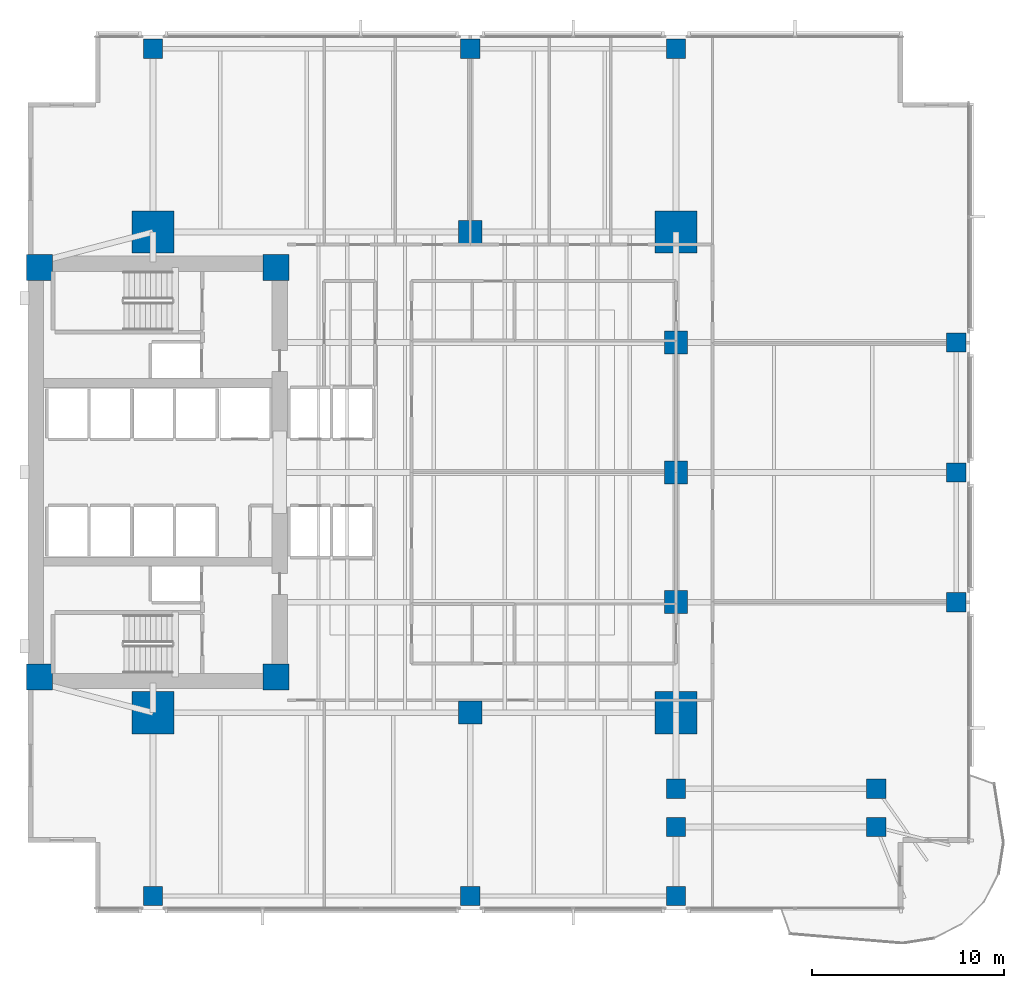
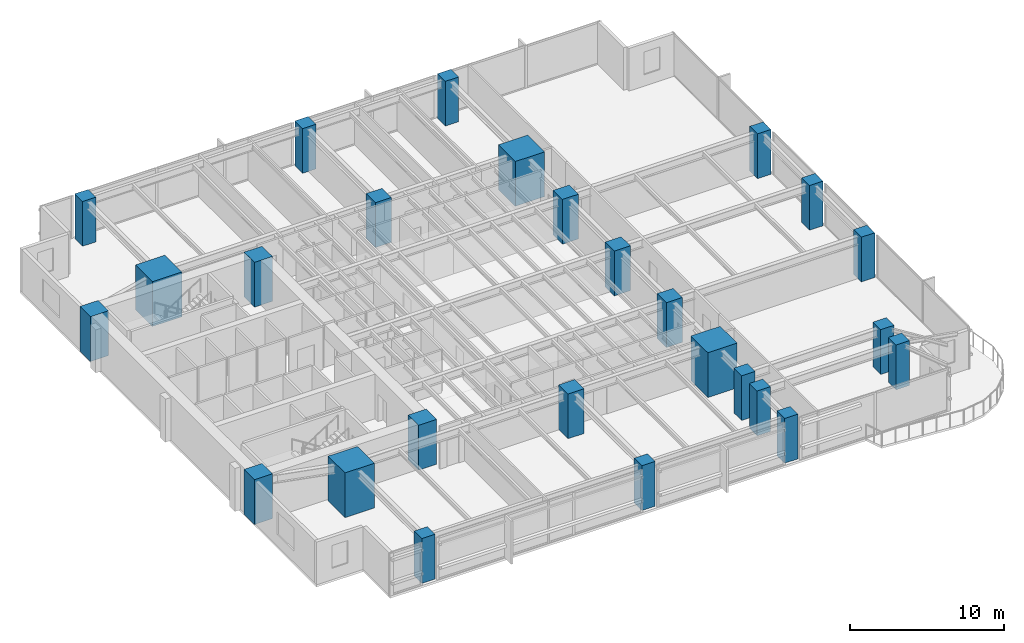
# One storey, part 1 of 15: 26 columns.
"""IFC4 building model written with IfcOpenShell, lengths in metres."""

import ifcopenshell
import ifcopenshell.guid

model = None  # the IFC model being written
_history = None  # IfcOwnerHistory: only IFC2X3 demands one
_inside = {}  # id of a spatial element -> (the spatial element, [elements in it])
_under = {}  # id of a project, library or spatial element -> (it, [spatial elements below it])
_declared = {}  # id of a project -> (the project, [libraries it declares])
_typed = {}  # id of a type object -> (the type object, [elements of that type])
_made_of = {}  # id of a material, layer set ... -> (it, [elements and type objects made of it])


def new_model(schema):
    """Start an empty IFC model of exactly this schema.

    Asked for "IFC4X3", IfcOpenShell would pick the latest addendum, in which some entities
    have other attributes; the version numbers below select the first issue.
    IFC2X3 requires an IfcOwnerHistory on every rooted entity: one is made here for all.
    """
    global model, _history
    if schema == "IFC4X3":
        model = ifcopenshell.file(schema_version=(4, 3, 0, 0))
    else:
        model = ifcopenshell.file(schema=schema)
    _inside.clear()
    _under.clear()
    _declared.clear()
    _typed.clear()
    _made_of.clear()
    _history = None
    if model.schema == "IFC2X3":
        org = make("IfcOrganization", Name="unknown")
        user = make(
            "IfcPersonAndOrganization",
            ThePerson=make("IfcPerson", FamilyName="unknown"),
            TheOrganization=org,
        )
        app = make(
            "IfcApplication",
            ApplicationDeveloper=org,
            Version="unknown",
            ApplicationFullName="unknown",
            ApplicationIdentifier="unknown",
        )
        _history = make(
            "IfcOwnerHistory",
            OwningUser=user,
            OwningApplication=app,
            ChangeAction="ADDED",
            CreationDate=0,
        )
    return model


def make(cls, **values):
    """One entity of the class cls with the attributes given. An attribute that is None is left unset."""
    return model.create_entity(
        cls, **{name: value for name, value in values.items() if value is not None}
    )


def rooted(cls, **values):
    """An entity with a GlobalId (a new one), such as an element, a storey or a relation."""
    return make(cls, GlobalId=ifcopenshell.guid.new(), OwnerHistory=_history, **values)


def si_unit(unit_type, name, prefix=None):
    """IfcSIUnit, for example si_unit("LENGTHUNIT", "METRE", prefix="MILLI")."""
    return make("IfcSIUnit", UnitType=unit_type, Prefix=prefix, Name=name)


def assignment(units):
    """IfcUnitAssignment: the units of a project."""
    return None if units is None else make("IfcUnitAssignment", Units=units)


def point(xyz):
    """IfcCartesianPoint."""
    return None if xyz is None else make("IfcCartesianPoint", Coordinates=xyz)


def direction(xyz):
    """IfcDirection."""
    return None if xyz is None else make("IfcDirection", DirectionRatios=xyz)


def frame(location, z_axis=None, x_axis=None):
    """IfcAxis2Placement3D, a coordinate frame: its origin and axes. An axis left out is left unset."""
    return make(
        "IfcAxis2Placement3D",
        Location=point(location),
        Axis=direction(z_axis),
        RefDirection=direction(x_axis),
    )


def frame_2d(location, x_axis=None):
    """IfcAxis2Placement2D, a coordinate frame in the plane: its origin and x axis."""
    return make(
        "IfcAxis2Placement2D", Location=point(location), RefDirection=direction(x_axis)
    )


def origin():
    """The frame at (0, 0, 0) with its axes left unset."""
    return frame((0.0, 0.0, 0.0))


def origin_2d():
    """The frame at (0, 0) in the plane with its x axis left unset."""
    return frame_2d((0.0, 0.0))


def place(relative_to, where):
    """IfcLocalPlacement: puts the frame where relative to a parent placement (None: the world)."""
    return make(
        "IfcLocalPlacement", PlacementRelTo=relative_to, RelativePlacement=where
    )


def context(
    kind, dimensions, precision=None, world=None, true_north=None, identifier=None
):
    """IfcGeometricRepresentationContext, for example the 3D "Model" context."""
    return make(
        "IfcGeometricRepresentationContext",
        ContextIdentifier=identifier,
        ContextType=kind,
        CoordinateSpaceDimension=dimensions,
        Precision=precision,
        WorldCoordinateSystem=world,
        TrueNorth=true_north,
    )


def subcontext(parent, identifier, kind, view, scale=None):
    """IfcGeometricRepresentationSubContext, for example "Body" below "Model"."""
    return make(
        "IfcGeometricRepresentationSubContext",
        ContextIdentifier=identifier,
        ContextType=kind,
        ParentContext=parent,
        TargetScale=scale,
        TargetView=view,
    )


def project(units=None, contexts=None):
    """IfcProject with its units and contexts."""
    return rooted(
        "IfcProject",
        Name="project",
        RepresentationContexts=contexts,
        UnitsInContext=assignment(units),
    )


def spatial(cls, under=None, at=None, **own):
    """A site, building, storey or space (cls), placed at a placement, below another one or the project."""
    s = rooted(cls, ObjectPlacement=at, **own)
    if under is not None:
        _under.setdefault(under.id(), (under, []))[1].append(s)
    return s


def profile(cls, at=None, kind="AREA", **sizes):
    """A parametric profile (cls). Its sizes go by their IFC names, for example OverallWidth=200.0."""
    return make(cls, ProfileType=kind, Position=at, **sizes)


def rectangle(**sizes):
    """IfcRectangleProfileDef."""
    return profile("IfcRectangleProfileDef", **sizes)


def extrude(swept, where, along, depth):
    """IfcExtrudedAreaSolid: the profile swept, set in the frame where, extruded along a direction by depth."""
    return make(
        "IfcExtrudedAreaSolid",
        SweptArea=swept,
        Position=where,
        ExtrudedDirection=direction(along),
        Depth=depth,
    )


def shape(context_of_items, identifier, shape_type, items):
    """IfcShapeRepresentation: the items that make up one representation, for example the "Body"."""
    return make(
        "IfcShapeRepresentation",
        ContextOfItems=context_of_items,
        RepresentationIdentifier=identifier,
        RepresentationType=shape_type,
        Items=items,
    )


def material(Name=None, Category=None):
    """IfcMaterial."""
    return make("IfcMaterial", Name=Name, Category=Category)


def material_profile(
    of_material, cross_section, Name=None, Category=None, Priority=None
):
    """IfcMaterialProfile: a cross section and its material."""
    return make(
        "IfcMaterialProfile",
        Name=Name,
        Material=of_material,
        Profile=cross_section,
        Priority=Priority,
        Category=Category,
    )


def profile_set(profiles, Name=None, composite=None):
    """IfcMaterialProfileSet."""
    return make(
        "IfcMaterialProfileSet",
        Name=Name,
        MaterialProfiles=profiles,
        CompositeProfile=composite,
    )


def made_of(thing, what):
    """Note that an element or type object is made of a material, layer set ...; save() writes the relation."""
    if what is not None:
        _made_of.setdefault(what.id(), (what, []))[1].append(thing)
    return thing


def type_object(cls, material=None, **own):
    """A type object (cls), such as IfcWallType, which elements share."""
    return made_of(rooted(cls, **own), material)


def element(
    cls,
    number,
    at=None,
    inside=None,
    cuts=None,
    type_object=None,
    material=None,
    context=None,
    identifier="Body",
    shape_type=None,
    held_by="IfcProductDefinitionShape",
    body=None,
    shapes=None,
    **own,
):
    """One element of the class cls, such as IfcWall. Its Tag is "e" and its number.

    at: its placement. inside: the storey or other place that contains it. cuts: it is an
    opening in that element (IfcRelVoidsElement). A single representation is given by context,
    identifier, shape_type and body (its items); several are given by shapes. held_by: the class
    of the entity that holds the representations. save() writes the other relations.
    """
    e = rooted(cls, Tag="e%d" % number, ObjectPlacement=at, **own)
    if body is not None:
        shapes = [shape(context, identifier, shape_type, body)]
    if shapes is not None:
        e.Representation = make(held_by, Representations=shapes)
    if inside is not None:
        _inside.setdefault(inside.id(), (inside, []))[1].append(e)
    if cuts is not None:
        rooted(
            "IfcRelVoidsElement", RelatingBuildingElement=cuts, RelatedOpeningElement=e
        )
    if type_object is not None:
        _typed.setdefault(type_object.id(), (type_object, []))[1].append(e)
    return made_of(e, material)


def aggregate(whole, parts):
    """IfcRelAggregates: a whole, such as a stair, and the parts it consists of."""
    return rooted("IfcRelAggregates", RelatingObject=whole, RelatedObjects=parts)


def save(model, path):
    """Write the relations noted so far, then the file.

    IfcRelAggregates (storeys below a building ...), IfcRelContainedInSpatialStructure (elements
    in a storey), IfcRelDefinesByType, IfcRelAssociatesMaterial and IfcRelDeclares: one each for
    every whole, place, type object, material and project.
    """
    for whole, parts in _under.values():
        aggregate(whole, parts)
    for where, things in _inside.values():
        rooted(
            "IfcRelContainedInSpatialStructure",
            RelatedElements=things,
            RelatingStructure=where,
        )
    for kind, things in _typed.values():
        rooted("IfcRelDefinesByType", RelatedObjects=things, RelatingType=kind)
    for what, things in _made_of.values():
        rooted("IfcRelAssociatesMaterial", RelatedObjects=things, RelatingMaterial=what)
    for by, libraries in _declared.values():
        rooted("IfcRelDeclares", RelatingContext=by, RelatedDefinitions=libraries)
    model.write(path)


model = new_model("IFC4")

# Units and contexts
model_context = context("Model", 3, precision=1e-05, world=origin(), true_north=direction((0.0, 1.0)))
body_context = subcontext(model_context, "Body", "Model", "MODEL_VIEW")
ifc_project = project(units=[si_unit("LENGTHUNIT", "METRE"), si_unit("AREAUNIT", "SQUARE_METRE"), si_unit("VOLUMEUNIT", "CUBIC_METRE"), si_unit("PLANEANGLEUNIT", "RADIAN"), si_unit("MASSUNIT", "GRAM", prefix="KILO")], contexts=[model_context])

# Site, building, storey
site_placement = place(None, origin())
site = spatial("IfcSite", under=ifc_project, at=site_placement, CompositionType="ELEMENT")
building_placement = place(site_placement, origin())
building = spatial("IfcBuilding", under=site, at=building_placement, Name="Kinhvarn Gate Tower", CompositionType="ELEMENT")
storey_placement = place(building_placement, frame((0.0, 0.0, 54.0)))
storey = spatial("IfcBuildingStorey", under=building, at=storey_placement, Name="L13", CompositionType="ELEMENT", Elevation=54.0)

# Columns
ifc_material_1 = material(Name="Concrete C70/85", Category="concrete")
ifc_material_profile_1 = material_profile(ifc_material_1, rectangle(XDim=2.199951171875, YDim=2.199951171875, at=origin_2d()), Name="RC 2200x2200")
ifc_profile_set_1 = profile_set([ifc_material_profile_1], Name="Concrete C70/85")
column_type_1 = type_object("IfcColumnType", Name="COL-MC-2200", PredefinedType="COLUMN", material=ifc_profile_set_1)
for number, where, z_axis, x_axis, name in (
    (1, (11.0, 12.75, 0.0), (0.0, 0.0, 1.0), (1.0, 0.0, 0.0), "Column MC1-L13 (MC-22)"),
    (2, (11.0, 37.75, 0.0), (0.0, 0.0, 1.0), (1.0, 0.0, 0.0), "Column MC4-L13 (MC-22)"),
    (3, (38.199951171875, 12.75, 0.0), (0.0, 0.0, 1.0), (1.0, 0.0, 0.0), "Column MC2-L13 (MC-22)"),
    (4, (38.199951171875, 37.75, 0.0), (0.0, 0.0, 1.0), (1.0, 0.0, 0.0), "Column MC3-L13 (MC-22)"),
):
    element("IfcColumn", number, at=place(storey_placement, frame(where, z_axis=z_axis, x_axis=x_axis)), inside=storey, type_object=column_type_1, Name=name, PredefinedType="COLUMN", context=body_context, shape_type="SweptSolid", body=[
        extrude(rectangle(XDim=2.199951171875, YDim=2.199951171875, at=origin_2d()), origin(), (0.0, 0.0, 1.0), 3.550048828125),
    ])
ifc_material_2 = material(Name="Concrete C60/75", Category="concrete")
ifc_material_profile_2 = material_profile(ifc_material_2, rectangle(XDim=1.0, YDim=1.0, at=origin_2d()), Name="RC 1000x1000")
ifc_profile_set_2 = profile_set([ifc_material_profile_2], Name="Concrete C60/75")
column_type_2 = type_object("IfcColumnType", Name="COL-RC-1000", PredefinedType="COLUMN", material=ifc_profile_set_2)
for number, where, z_axis, x_axis, name in (
    (5, (48.6201171875, 6.800048828125, 0.0), (0.0, 0.0, 1.0), (1.0, 0.0, 0.0), "Column CS-SE1-L13 (C-100)"),
    (6, (38.199951171875, 6.800048828125, 0.0), (0.0, 0.0, 1.0), (1.0, 0.0, 0.0), "Column CS-ANC68-L13 (C-100)"),
    (7, (38.199951171875, 8.800048828125, 0.0), (0.0, 0.0, 1.0), (1.0, 0.0, 0.0), "Column CS-ANC88-L13 (C-100)"),
    (8, (48.6201171875, 8.800048828125, 0.0), (0.0, 0.0, 1.0), (1.0, 0.0, 0.0), "Column CS-SE1B-L13 (C-100)"),
    (9, (52.780029296875, 18.5, 0.0), (0.0, 0.0, 1.0), (1.0, 0.0, 0.0), "Column CE-1-L13 (C-100)"),
    (10, (52.780029296875, 25.25, 0.0), (0.0, 0.0, 1.0), (1.0, 0.0, 0.0), "Column CE-2-L13 (C-100)"),
    (11, (52.780029296875, 32.0, 0.0), (0.0, 0.0, 1.0), (1.0, 0.0, 0.0), "Column CE-3-L13 (C-100)"),
    (12, (11.0, 3.219970703125, 0.0), (0.0, 0.0, 1.0), (1.0, 0.0, 0.0), "Column CS-0-L13 (C-100)"),
    (13, (27.5, 3.219970703125, 0.0), (0.0, 0.0, 1.0), (1.0, 0.0, 0.0), "Column CS-1-L13 (C-100)"),
    (14, (38.199951171875, 3.219970703125, 0.0), (0.0, 0.0, 1.0), (1.0, 0.0, 0.0), "Column CS-2-L13 (C-100)"),
    (15, (11.0, 47.280029296875, 0.0), (0.0, 0.0, 1.0), (1.0, 0.0, 0.0), "Column CN-0-L13 (C-100)"),
    (16, (27.5, 47.280029296875, 0.0), (0.0, 0.0, 1.0), (1.0, 0.0, 0.0), "Column CN-1-L13 (C-100)"),
    (17, (38.199951171875, 47.280029296875, 0.0), (0.0, 0.0, 1.0), (1.0, 0.0, 0.0), "Column CN-2-L13 (C-100)"),
):
    element("IfcColumn", number, at=place(storey_placement, frame(where, z_axis=z_axis, x_axis=x_axis)), inside=storey, type_object=column_type_2, Name=name, PredefinedType="COLUMN", context=body_context, shape_type="SweptSolid", body=[
        extrude(rectangle(XDim=1.0, YDim=1.0, at=origin_2d()), origin(), (0.0, 0.0, 1.0), 3.550048828125),
    ])
ifc_material_profile_3 = material_profile(ifc_material_2, rectangle(XDim=1.199951171875, YDim=1.199951171875, at=origin_2d()), Name="RC 1200x1200")
ifc_profile_set_3 = profile_set([ifc_material_profile_3], Name="Concrete C60/75")
column_type_3 = type_object("IfcColumnType", Name="COL-RC-1200", PredefinedType="COLUMN", material=ifc_profile_set_3)
for number, where, z_axis, x_axis, name in (
    (18, (27.5, 12.75, 0.0), (0.0, 0.0, 1.0), (1.0, 0.0, 0.0), "Column SP27-S-L13 (C-120)"),
    (19, (27.5, 37.75, 0.0), (0.0, 0.0, 1.0), (1.0, 0.0, 0.0), "Column SP27-N-L13 (C-120)"),
    (20, (38.199951171875, 18.5, 0.0), (0.0, 0.0, 1.0), (1.0, 0.0, 0.0), "Column SP38-E1-L13 (C-120)"),
    (21, (38.199951171875, 25.25, 0.0), (0.0, 0.0, 1.0), (1.0, 0.0, 0.0), "Column SP38-E2-L13 (C-120)"),
    (22, (38.199951171875, 32.0, 0.0), (0.0, 0.0, 1.0), (1.0, 0.0, 0.0), "Column SP38-E3-L13 (C-120)"),
):
    element("IfcColumn", number, at=place(storey_placement, frame(where, z_axis=z_axis, x_axis=x_axis)), inside=storey, type_object=column_type_3, Name=name, PredefinedType="COLUMN", context=body_context, shape_type="SweptSolid", body=[
        extrude(rectangle(XDim=1.199951171875, YDim=1.199951171875, at=origin_2d()), origin(), (0.0, 0.0, 1.0), 3.550048828125),
    ])
ifc_material_profile_4 = material_profile(ifc_material_1, rectangle(XDim=1.35009765625, YDim=1.35009765625, at=origin_2d()), Name="RC 1350x1350")
ifc_profile_set_4 = profile_set([ifc_material_profile_4], Name="Concrete C70/85")
column_type_4 = type_object("IfcColumnType", Name="PIL-RC-1350", PredefinedType="PILASTER", material=ifc_profile_set_4)
for number, where, z_axis, x_axis, name in (
    (23, (5.10009765625, 14.60009765625, 0.0), (0.0, 0.0, 1.0), (1.0, 0.0, 0.0), "Column CC-SW-L13 (CP-135)"),
    (24, (5.10009765625, 35.89990234375, 0.0), (0.0, 0.0, 1.0), (1.0, 0.0, 0.0), "Column CC-NW-L13 (CP-135)"),
    (25, (17.39990234375, 14.60009765625, 0.0), (0.0, 0.0, 1.0), (1.0, 0.0, 0.0), "Column CC-SE-L13 (CP-135)"),
    (26, (17.39990234375, 35.89990234375, 0.0), (0.0, 0.0, 1.0), (1.0, 0.0, 0.0), "Column CC-NE-L13 (CP-135)"),
):
    element("IfcColumn", number, at=place(storey_placement, frame(where, z_axis=z_axis, x_axis=x_axis)), inside=storey, type_object=column_type_4, Name=name, PredefinedType="PILASTER", context=body_context, shape_type="SweptSolid", body=[
        extrude(rectangle(XDim=1.35009765625, YDim=1.35009765625, at=origin_2d()), origin(), (0.0, 0.0, 1.0), 3.550048828125),
    ])

save(model, "model.ifc")
